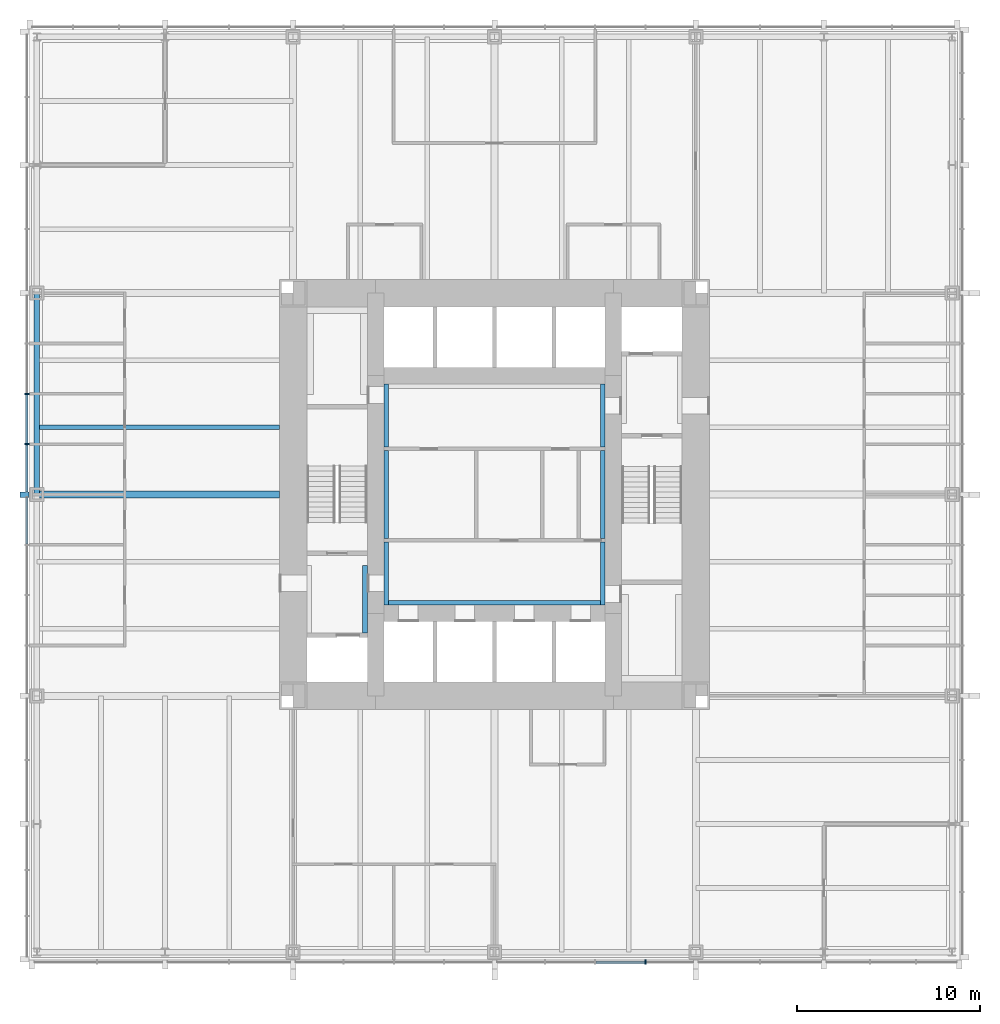
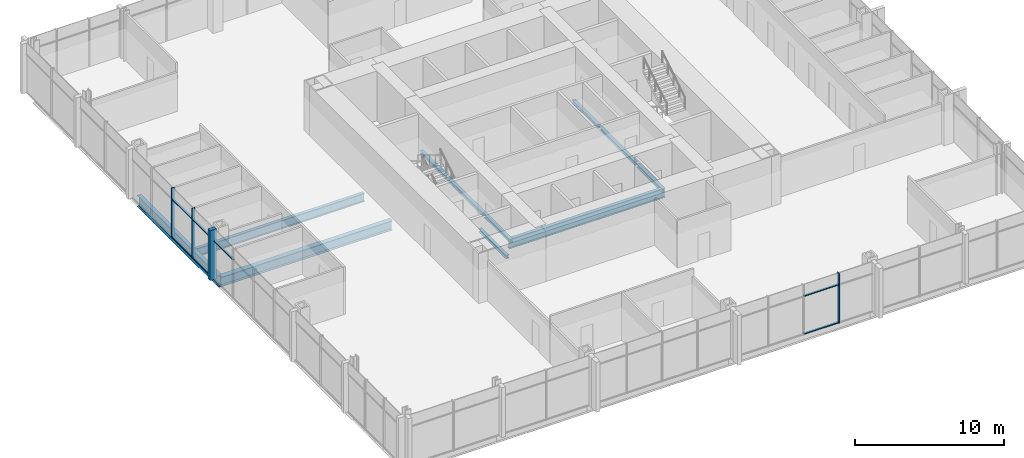
# One storey, part 3 of 13: 11 beams, 11 members, 2 elements without a shape of their own.
"""IFC4 building model written with IfcOpenShell, lengths in metres."""

from ifc_helpers import new_model, si_unit, direction, frame, origin, origin_2d, place, context, subcontext, project, spatial, rectangle, i_section, extrude, material, material_profile, profile_set, type_object, element, aggregate, save


model = new_model("IFC4")

# Units and contexts
model_context = context("Model", 3, precision=1e-05, world=origin(), true_north=direction((0.0, 1.0)))
body_context = subcontext(model_context, "Body", "Model", "MODEL_VIEW")
ifc_project = project(units=[si_unit("LENGTHUNIT", "METRE"), si_unit("AREAUNIT", "SQUARE_METRE"), si_unit("VOLUMEUNIT", "CUBIC_METRE"), si_unit("PLANEANGLEUNIT", "RADIAN"), si_unit("MASSUNIT", "GRAM", prefix="KILO")], contexts=[model_context])

# Site, building, storey
site_placement = place(None, origin())
site = spatial("IfcSite", under=ifc_project, at=site_placement, CompositionType="ELEMENT")
building_placement = place(site_placement, origin())
building = spatial("IfcBuilding", under=site, at=building_placement, Name="Trevanion Tower", CompositionType="ELEMENT")
storey_placement = place(building_placement, frame((0.0, 0.0, 85.699951171875)))
storey = spatial("IfcBuildingStorey", under=building, at=storey_placement, Name="L20", CompositionType="ELEMENT", Elevation=85.699951171875)

# Beam
ifc_material_1 = material(Name="Steel ASTM A992 Grade 50", Category="steel")
ifc_material_profile_1 = material_profile(ifc_material_1, i_section(OverallWidth=0.25390625, OverallDepth=0.700927734375, WebThickness=0.015380859375, FlangeThickness=0.02783203125, at=origin_2d()), Name="W27X129")
ifc_profile_set_1 = profile_set([ifc_material_profile_1], Name="Steel ASTM A992 Grade 50")
beam_type_1 = type_object("IfcBeamType", Name="B3 W27X129", PredefinedType="BEAM", material=ifc_profile_set_1)
beam_1_placement = place(storey_placement, frame((-11.75, 3.666748046875, -0.54052734375), z_axis=(-1.0, 0.0, 0.0), x_axis=(0.0, -1.0, 0.0)))
element("IfcBeam", 1, at=beam_1_placement, inside=storey, type_object=beam_type_1, Name="B3 L20", PredefinedType="BEAM", context=body_context, shape_type="SweptSolid", body=[
    extrude(i_section(OverallWidth=0.25390625, OverallDepth=0.700927734375, WebThickness=0.015380859375, FlangeThickness=0.02783203125, at=origin_2d()), origin(), (0.0, 0.0, 1.0), 13.25),
])

# Curtain wall, members
ifc_material_2 = material(Name="Aluminium and glass", Category="aluminium")
curtain_wall_type = type_object("IfcCurtainWallType", Name="CW1 curtain wall", PredefinedType="USERDEFINED", material=ifc_material_2)
curtain_wall_1_placement = place(storey_placement, origin())
curtain_wall_1 = element("IfcCurtainWall", 2, at=curtain_wall_1_placement, inside=storey, type_object=curtain_wall_type, Name="CW1 L20 2", ObjectType="UNITISED CURTAIN WALL", PredefinedType="USERDEFINED")
ifc_material_3 = material(Name="Aluminium extrusion, anodised bronze", Category="aluminium")
ifc_material_profile_2 = material_profile(ifc_material_3, rectangle(XDim=0.074951171875, YDim=0.25, at=origin_2d()), Name="CW1 mullion")
ifc_profile_set_2 = profile_set([ifc_material_profile_2], Name="Aluminium extrusion, anodised bronze")
member_type_1 = type_object("IfcMemberType", Name="CW1 mullion", PredefinedType="MULLION", material=ifc_profile_set_2)
member_1_placement = place(storey_placement, frame((-25.550048828125, 5.5, -0.18994140625), z_axis=(0.0, 0.0, 1.0), x_axis=(0.0, -1.0, 0.0)))
member_1 = element("IfcMember", 3, at=member_1_placement, type_object=member_type_1, Name="CW1 mullion 7", PredefinedType="MULLION", context=body_context, shape_type="SweptSolid", body=[
    extrude(rectangle(XDim=0.074951171875, YDim=0.25, at=origin_2d()), origin(), (0.0, 0.0, 1.0), 4.10009765625),
])
member_2_placement = place(storey_placement, frame((-25.550048828125, 2.75, -0.18994140625), z_axis=(0.0, 0.0, 1.0), x_axis=(0.0, -1.0, 0.0)))
member_2 = element("IfcMember", 4, at=member_2_placement, type_object=member_type_1, Name="CW1 mullion 8", PredefinedType="MULLION", context=body_context, shape_type="SweptSolid", body=[
    extrude(rectangle(XDim=0.074951171875, YDim=0.25, at=origin_2d()), origin(), (0.0, 0.0, 1.0), 4.10009765625),
])

# Curtain wall, member
curtain_wall_2_placement = place(storey_placement, origin())
curtain_wall_2 = element("IfcCurtainWall", 5, at=curtain_wall_2_placement, inside=storey, type_object=curtain_wall_type, Name="CW1 L20 3", ObjectType="UNITISED CURTAIN WALL", PredefinedType="USERDEFINED")
member_3_placement = place(storey_placement, frame((8.25, -25.550048828125, -0.18994140625), z_axis=(0.0, 0.0, 1.0), x_axis=(1.0, 0.0, 0.0)))
member_3 = element("IfcMember", 6, at=member_3_placement, type_object=member_type_1, Name="CW1 mullion 12", PredefinedType="MULLION", context=body_context, shape_type="SweptSolid", body=[
    extrude(rectangle(XDim=0.074951171875, YDim=0.25, at=origin_2d()), origin(), (0.0, 0.0, 1.0), 4.10009765625),
])

# Member
ifc_material_4 = material(Name="Aluminium extrusion, anodised bronze", Category="aluminium")
ifc_material_profile_3 = material_profile(ifc_material_4, rectangle(XDim=0.300048828125, YDim=0.5, at=origin_2d()), Name="CW1 pier mullion")
ifc_profile_set_3 = profile_set([ifc_material_profile_3], Name="Aluminium extrusion, anodised bronze")
member_type_2 = type_object("IfcMemberType", Name="CW1 pier mullion", PredefinedType="MULLION", material=ifc_profile_set_3)
member_4_placement = place(storey_placement, frame((-25.675048828125, 0.0, -0.18994140625), z_axis=(0.0, 0.0, 1.0), x_axis=(0.0, -1.0, 0.0)))
member_4 = element("IfcMember", 7, at=member_4_placement, type_object=member_type_2, Name="CW1 pier mullion 9", PredefinedType="MULLION", context=body_context, shape_type="SweptSolid", body=[
    extrude(rectangle(XDim=0.300048828125, YDim=0.5, at=origin_2d()), origin(), (0.0, 0.0, 1.0), 4.10009765625),
])

ifc_material_5 = material(Name="Aluminium extrusion, anodised bronze", Category="aluminium")
ifc_material_profile_4 = material_profile(ifc_material_5, rectangle(XDim=0.14990234375, YDim=0.074951171875, at=origin_2d()), Name="CW1 transom")
ifc_profile_set_4 = profile_set([ifc_material_profile_4], Name="Aluminium extrusion, anodised bronze")
member_type_3 = type_object("IfcMemberType", Name="CW1 transom", PredefinedType="USERDEFINED", material=ifc_profile_set_4)
member_5_placement = place(storey_placement, frame((-25.550048828125, 5.46240234375, -0.15234375), z_axis=(0.0, -1.0, 0.0), x_axis=(1.0, 0.0, 0.0)))
member_5 = element("IfcMember", 8, at=member_5_placement, type_object=member_type_3, Name="CW1 transom 7.1", ObjectType="TRANSOM", PredefinedType="USERDEFINED", context=body_context, shape_type="SweptSolid", body=[
    extrude(rectangle(XDim=0.14990234375, YDim=0.074951171875, at=origin_2d()), origin(), (0.0, 0.0, 1.0), 2.6748046875),
])

member_6_placement = place(storey_placement, frame((-25.550048828125, 5.46240234375, 2.9599609375), z_axis=(0.0, -1.0, 0.0), x_axis=(1.0, 0.0, 0.0)))
member_6 = element("IfcMember", 9, at=member_6_placement, type_object=member_type_3, Name="CW1 transom 7.2", ObjectType="TRANSOM", PredefinedType="USERDEFINED", context=body_context, shape_type="SweptSolid", body=[
    extrude(rectangle(XDim=0.14990234375, YDim=0.074951171875, at=origin_2d()), origin(), (0.0, 0.0, 1.0), 2.6748046875),
])

member_7_placement = place(storey_placement, frame((-25.550048828125, 2.71240234375, -0.15234375), z_axis=(0.0, -1.0, 0.0), x_axis=(1.0, 0.0, 0.0)))
member_7 = element("IfcMember", 10, at=member_7_placement, type_object=member_type_3, Name="CW1 transom 8.1", ObjectType="TRANSOM", PredefinedType="USERDEFINED", context=body_context, shape_type="SweptSolid", body=[
    extrude(rectangle(XDim=0.14990234375, YDim=0.074951171875, at=origin_2d()), origin(), (0.0, 0.0, 1.0), 2.5625),
])

member_8_placement = place(storey_placement, frame((-25.550048828125, 2.71240234375, 2.9599609375), z_axis=(0.0, -1.0, 0.0), x_axis=(1.0, 0.0, 0.0)))
member_8 = element("IfcMember", 11, at=member_8_placement, type_object=member_type_3, Name="CW1 transom 8.2", ObjectType="TRANSOM", PredefinedType="USERDEFINED", context=body_context, shape_type="SweptSolid", body=[
    extrude(rectangle(XDim=0.14990234375, YDim=0.074951171875, at=origin_2d()), origin(), (0.0, 0.0, 1.0), 2.5625),
])

member_9_placement = place(storey_placement, frame((-25.550048828125, -0.14990234375, 2.9599609375), z_axis=(0.0, -1.0, 0.0), x_axis=(1.0, 0.0, 0.0)))
member_9 = element("IfcMember", 12, at=member_9_placement, type_object=member_type_3, Name="CW1 transom 9.2", ObjectType="TRANSOM", PredefinedType="USERDEFINED", context=body_context, shape_type="SweptSolid", body=[
    extrude(rectangle(XDim=0.14990234375, YDim=0.074951171875, at=origin_2d()), origin(), (0.0, 0.0, 1.0), 2.5625),
])

aggregate(curtain_wall_1, [member_1, member_2, member_4, member_5, member_6, member_7, member_8, member_9])

member_10_placement = place(storey_placement, frame((5.53759765625, -25.550048828125, -0.15234375), z_axis=(1.0, 0.0, 0.0), x_axis=(0.0, 1.0, 0.0)))
member_10 = element("IfcMember", 13, at=member_10_placement, type_object=member_type_3, Name="CW1 transom 11.1", ObjectType="TRANSOM", PredefinedType="USERDEFINED", context=body_context, shape_type="SweptSolid", body=[
    extrude(rectangle(XDim=0.14990234375, YDim=0.074951171875, at=origin_2d()), origin(), (0.0, 0.0, 1.0), 2.6748046875),
])

member_11_placement = place(storey_placement, frame((5.53759765625, -25.550048828125, 2.9599609375), z_axis=(1.0, 0.0, 0.0), x_axis=(0.0, 1.0, 0.0)))
member_11 = element("IfcMember", 14, at=member_11_placement, type_object=member_type_3, Name="CW1 transom 11.2", ObjectType="TRANSOM", PredefinedType="USERDEFINED", context=body_context, shape_type="SweptSolid", body=[
    extrude(rectangle(XDim=0.14990234375, YDim=0.074951171875, at=origin_2d()), origin(), (0.0, 0.0, 1.0), 2.6748046875),
])

aggregate(curtain_wall_2, [member_3, member_10, member_11])

# Beams
ifc_material_6 = material(Name="Steel ASTM A992 Grade 50", Category="steel")
ifc_material_profile_5 = material_profile(ifc_material_6, i_section(OverallWidth=0.381103515625, OverallDepth=0.77978515625, WebThickness=0.01806640625, FlangeThickness=0.0302734375, at=origin_2d()), Name="W30X191")
ifc_profile_set_5 = profile_set([ifc_material_profile_5], Name="Steel ASTM A992 Grade 50")
beam_type_2 = type_object("IfcBeamType", Name="G2 W30X191", PredefinedType="BEAM", material=ifc_profile_set_5)
beam_2_placement = place(storey_placement, frame((-11.75, 0.0, -0.579833984375), z_axis=(-1.0, 0.0, 0.0), x_axis=(0.0, -1.0, 0.0)))
element("IfcBeam", 15, at=beam_2_placement, inside=storey, type_object=beam_type_2, Name="G2 L20", PredefinedType="BEAM", context=body_context, shape_type="SweptSolid", body=[
    extrude(i_section(OverallWidth=0.381103515625, OverallDepth=0.77978515625, WebThickness=0.01806640625, FlangeThickness=0.0302734375, at=origin_2d()), origin(), (0.0, 0.0, 1.0), 13.25),
])
ifc_material_7 = material(Name="Steel ASTM A992 Grade 50", Category="steel")
ifc_material_profile_6 = material_profile(ifc_material_7, i_section(OverallWidth=0.256591796875, OverallDepth=0.26416015625, WebThickness=0.011962890625, FlangeThickness=0.01953125, at=origin_2d()), Name="W10X68")
ifc_profile_set_6 = profile_set([ifc_material_profile_6], Name="Steel ASTM A992 Grade 50")
beam_type_3 = type_object("IfcBeamType", Name="LB1 W10X68", PredefinedType="BEAM", material=ifc_profile_set_6)
for number, where, z_axis, x_axis, name in (
    (16, (-5.921630859375, 2.60009765625, -0.33203125), (0.0, 1.0, 0.0), (-1.0, 0.0, 0.0), "LB1 L20"),
    (17, (5.921630859375, 2.60009765625, -0.33203125), (0.0, 1.0, 0.0), (-1.0, 0.0, 0.0), "LB1 L20"),
    (18, (-5.921630859375, -6.050048828125, -0.33203125), (0.0, 1.0, 0.0), (-1.0, 0.0, 0.0), "LB1 L20"),
    (19, (5.921630859375, -6.050048828125, -0.33203125), (0.0, 1.0, 0.0), (-1.0, 0.0, 0.0), "LB1 L20"),
):
    element("IfcBeam", number, at=place(storey_placement, frame(where, z_axis=z_axis, x_axis=x_axis)), inside=storey, type_object=beam_type_3, Name=name, PredefinedType="BEAM", context=body_context, shape_type="SweptSolid", body=[
        extrude(i_section(OverallWidth=0.256591796875, OverallDepth=0.26416015625, WebThickness=0.011962890625, FlangeThickness=0.01953125, at=origin_2d()), origin(), (0.0, 0.0, 1.0), 3.449951171875),
    ])
beam_3_placement = place(storey_placement, frame((-7.078369140625, -7.574951171875, -0.33203125), z_axis=(0.0, 1.0, 0.0), x_axis=(-1.0, 0.0, 0.0)))
element("IfcBeam", 20, at=beam_3_placement, inside=storey, type_object=beam_type_3, Name="LB1 L20", PredefinedType="BEAM", context=body_context, shape_type="SweptSolid", body=[
    extrude(i_section(OverallWidth=0.256591796875, OverallDepth=0.26416015625, WebThickness=0.011962890625, FlangeThickness=0.01953125, at=origin_2d()), origin(), (0.0, 0.0, 1.0), 3.699951171875),
])
for number, where, z_axis, x_axis, name in (
    (21, (-5.921630859375, -2.39990234375, -0.33203125), (0.0, 1.0, 0.0), (-1.0, 0.0, 0.0), "LB1 L20"),
    (22, (5.921630859375, -2.39990234375, -0.33203125), (0.0, 1.0, 0.0), (-1.0, 0.0, 0.0), "LB1 L20"),
):
    element("IfcBeam", number, at=place(storey_placement, frame(where, z_axis=z_axis, x_axis=x_axis)), inside=storey, type_object=beam_type_3, Name=name, PredefinedType="BEAM", context=body_context, shape_type="SweptSolid", body=[
        extrude(i_section(OverallWidth=0.256591796875, OverallDepth=0.26416015625, WebThickness=0.011962890625, FlangeThickness=0.01953125, at=origin_2d()), origin(), (0.0, 0.0, 1.0), 4.7998046875),
    ])
ifc_material_8 = material(Name="Steel ASTM A992 Grade 50", Category="steel")
ifc_material_profile_7 = material_profile(ifc_material_8, i_section(OverallWidth=0.2666015625, OverallDepth=0.76953125, WebThickness=0.015625, FlangeThickness=0.025390625, at=origin_2d()), Name="W30X132")
ifc_profile_set_7 = profile_set([ifc_material_profile_7], Name="Steel ASTM A992 Grade 50")
beam_type_4 = type_object("IfcBeamType", Name="LB3 W30X132", PredefinedType="BEAM", material=ifc_profile_set_7)
beam_4_placement = place(storey_placement, frame((-6.050048828125, -5.91650390625, -0.584716796875), z_axis=(1.0, 0.0, 0.0), x_axis=(0.0, 1.0, 0.0)))
element("IfcBeam", 23, at=beam_4_placement, inside=storey, type_object=beam_type_4, Name="LB3 L20", PredefinedType="BEAM", context=body_context, shape_type="SweptSolid", body=[
    extrude(i_section(OverallWidth=0.2666015625, OverallDepth=0.76953125, WebThickness=0.015625, FlangeThickness=0.025390625, at=origin_2d()), origin(), (0.0, 0.0, 1.0), 12.10009765625),
])
ifc_material_9 = material(Name="Steel ASTM A992 Grade 50", Category="steel")
ifc_material_profile_8 = material_profile(ifc_material_9, i_section(OverallWidth=0.307373046875, OverallDepth=0.927001953125, WebThickness=0.01953125, FlangeThickness=0.031982421875, at=origin_2d()), Name="W36X194")
ifc_profile_set_8 = profile_set([ifc_material_profile_8], Name="Steel ASTM A992 Grade 50")
beam_type_5 = type_object("IfcBeamType", Name="SB2 W36X194", PredefinedType="SPANDREL", material=ifc_profile_set_8)
beam_5_placement = place(storey_placement, frame((-25.0, 11.0, -0.653564453125), z_axis=(0.0, -1.0, 0.0), x_axis=(1.0, 0.0, 0.0)))
element("IfcBeam", 24, at=beam_5_placement, inside=storey, type_object=beam_type_5, Name="SB2 L20", PredefinedType="SPANDREL", context=body_context, shape_type="SweptSolid", body=[
    extrude(i_section(OverallWidth=0.307373046875, OverallDepth=0.927001953125, WebThickness=0.01953125, FlangeThickness=0.031982421875, at=origin_2d()), origin(), (0.0, 0.0, 1.0), 11.0),
])

save(model, "model.ifc")
